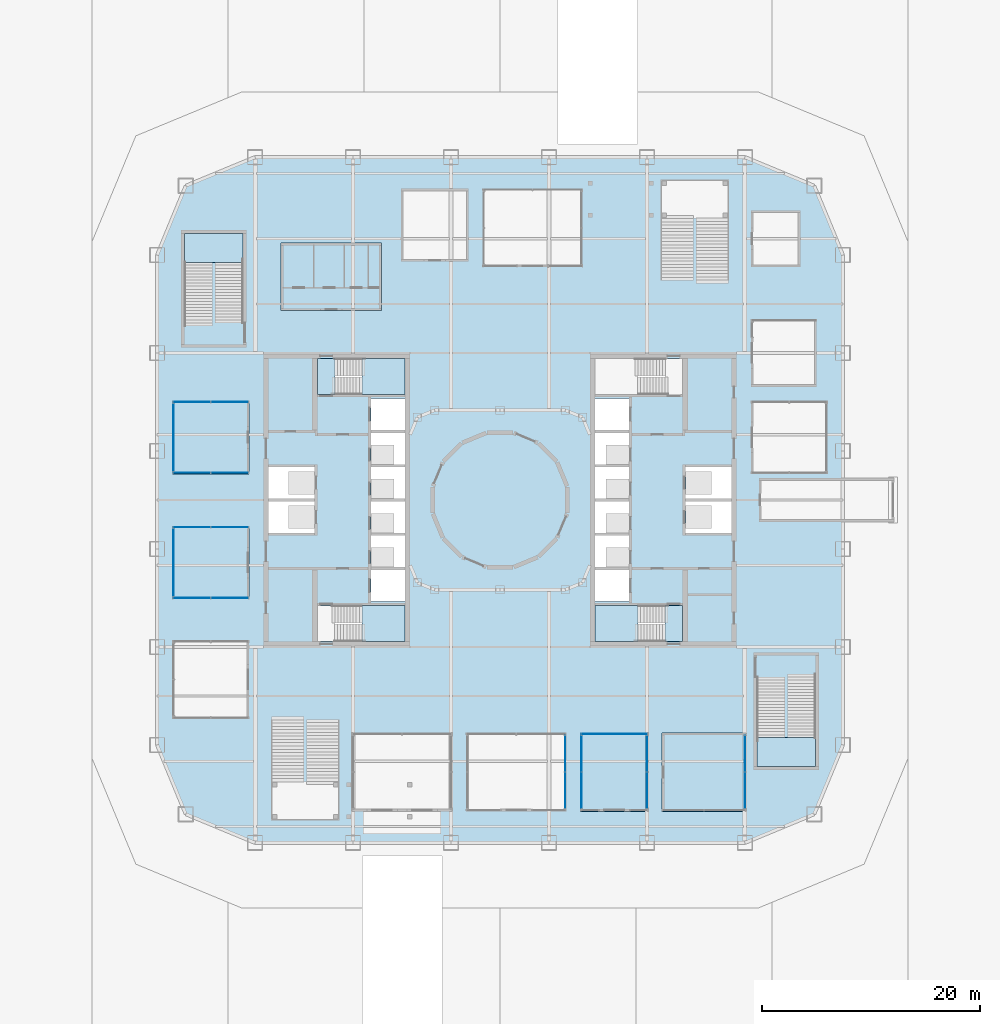
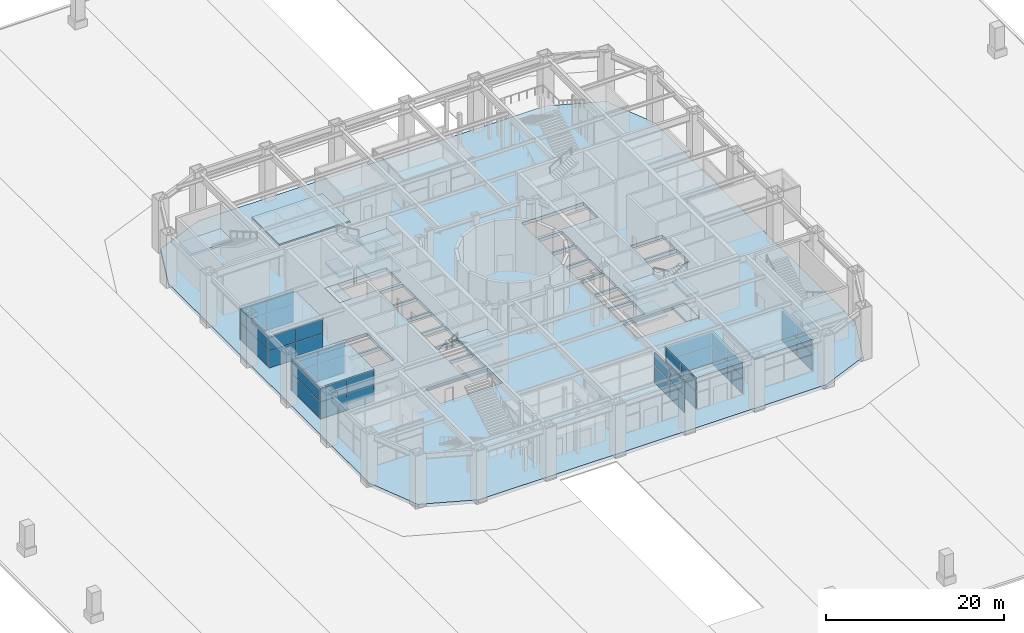
# One storey, part 11 of 20: 43 plates, 13 slabs, 16 elements without a shape of their own.
"""IFC4 building model written with IfcOpenShell, lengths in metres."""

from ifc_helpers import new_model, si_unit, direction, frame, origin, origin_2d, place, context, subcontext, project, spatial, polyline, rectangle, outline, extrude, material, layer, layer_set, type_object, element, aggregate, save


model = new_model("IFC4")

# Units and contexts
model_context = context("Model", 3, precision=1e-05, world=origin(), true_north=direction((0.0, 1.0)))
body_context = subcontext(model_context, "Body", "Model", "MODEL_VIEW")
ifc_project = project(units=[si_unit("LENGTHUNIT", "METRE"), si_unit("AREAUNIT", "SQUARE_METRE"), si_unit("VOLUMEUNIT", "CUBIC_METRE"), si_unit("PLANEANGLEUNIT", "RADIAN"), si_unit("MASSUNIT", "GRAM", prefix="KILO")], contexts=[model_context])

# Site, building, storey
site_placement = place(None, origin())
site = spatial("IfcSite", under=ifc_project, at=site_placement, CompositionType="ELEMENT")
building_placement = place(site_placement, origin())
building = spatial("IfcBuilding", under=site, at=building_placement, Name="Siwar Civic Tower", CompositionType="ELEMENT")
storey_placement = place(building_placement, origin())
storey = spatial("IfcBuildingStorey", under=building, at=storey_placement, Name="L00", CompositionType="ELEMENT", Elevation=0.0)

# Stair, slabs
ifc_material_1 = material(Name="Concrete C40/50", Category="concrete")
stair_type_1 = type_object("IfcStairType", Name="CORE-STAIR", PredefinedType="TWO_STRAIGHT_RUN_STAIR", material=ifc_material_1)
stair_1_placement = place(storey_placement, origin())
stair_1 = element("IfcStair", 1, at=stair_1_placement, inside=storey, type_object=stair_type_1, Name="Exit stair ST1", PredefinedType="TWO_STRAIGHT_RUN_STAIR")
ifc_material_2 = material(Name="Concrete C40/50", Category="concrete")
ifc_layer_1 = layer(ifc_material_2, 0.300048828125)
ifc_layer_set_1 = layer_set([ifc_layer_1], Name="Concrete C40/50")
slab_type_1 = type_object("IfcSlabType", Name="CORE-STAIR-LANDING", PredefinedType="LANDING", material=ifc_layer_set_1)
slab_1_placement = place(storey_placement, frame((0.0, 0.0, -0.300048828125)))
slab_1 = element("IfcSlab", 2, at=slab_1_placement, type_object=slab_type_1, Name="ST1 landing 1", PredefinedType="LANDING", context=body_context, shape_type="SweptSolid", body=[
    extrude(outline(polyline([(-15.14990234375, 13.0), (-16.75, 13.0), (-16.75, 9.699951171875), (-15.14990234375, 9.699951171875), (-15.14990234375, 13.0)])), origin(), (0.0, 0.0, 1.0), 0.300048828125),
])
slab_2_placement = place(storey_placement, frame((0.0, 0.0, 1.5)))
slab_2 = element("IfcSlab", 3, at=slab_2_placement, type_object=slab_type_1, Name="ST1 landing 2", PredefinedType="LANDING", context=body_context, shape_type="SweptSolid", body=[
    extrude(outline(polyline([(-8.75, 13.0), (-12.699951171875, 13.0), (-12.699951171875, 9.699951171875), (-8.75, 9.699951171875), (-8.75, 13.0)])), origin(), (0.0, 0.0, 1.0), 0.300048828125),
])
slab_3_placement = place(storey_placement, frame((0.0, 0.0, 3.300048828125)))
slab_3 = element("IfcSlab", 4, at=slab_3_placement, type_object=slab_type_1, Name="ST1 landing 3", PredefinedType="LANDING", context=body_context, shape_type="SweptSolid", body=[
    extrude(outline(polyline([(-15.14990234375, 13.0), (-16.75, 13.0), (-16.75, 9.699951171875), (-15.14990234375, 9.699951171875), (-15.14990234375, 13.0)])), origin(), (0.0, 0.0, 1.0), 0.300048828125),
])
slab_4_placement = place(storey_placement, frame((0.0, 0.0, 5.10009765625)))
slab_4 = element("IfcSlab", 5, at=slab_4_placement, type_object=slab_type_1, Name="ST1 landing 4", PredefinedType="LANDING", context=body_context, shape_type="SweptSolid", body=[
    extrude(outline(polyline([(-8.75, 13.0), (-12.699951171875, 13.0), (-12.699951171875, 9.699951171875), (-8.75, 9.699951171875), (-8.75, 13.0)])), origin(), (0.0, 0.0, 1.0), 0.2998046875),
])
aggregate(stair_1, [slab_1, slab_2, slab_3, slab_4])

stair_2_placement = place(storey_placement, origin())
stair_2 = element("IfcStair", 6, at=stair_2_placement, inside=storey, type_object=stair_type_1, Name="Exit stair ST2", PredefinedType="TWO_STRAIGHT_RUN_STAIR")
slab_5_placement = place(storey_placement, frame((0.0, 0.0, 1.5)))
slab_5 = element("IfcSlab", 7, at=slab_5_placement, type_object=slab_type_1, Name="ST2 landing 2", PredefinedType="LANDING", context=body_context, shape_type="SweptSolid", body=[
    extrude(outline(polyline([(-8.75, -9.699951171875), (-12.699951171875, -9.699951171875), (-12.699951171875, -13.0), (-8.75, -13.0), (-8.75, -9.699951171875)])), origin(), (0.0, 0.0, 1.0), 0.300048828125),
])
slab_6_placement = place(storey_placement, frame((0.0, 0.0, 5.10009765625)))
slab_6 = element("IfcSlab", 8, at=slab_6_placement, type_object=slab_type_1, Name="ST2 landing 4", PredefinedType="LANDING", context=body_context, shape_type="SweptSolid", body=[
    extrude(outline(polyline([(-8.75, -9.699951171875), (-12.699951171875, -9.699951171875), (-12.699951171875, -13.0), (-8.75, -13.0), (-8.75, -9.699951171875)])), origin(), (0.0, 0.0, 1.0), 0.2998046875),
])
aggregate(stair_2, [slab_5, slab_6])

stair_3_placement = place(storey_placement, origin())
stair_3 = element("IfcStair", 9, at=stair_3_placement, inside=storey, type_object=stair_type_1, Name="Exit stair ST4", PredefinedType="TWO_STRAIGHT_RUN_STAIR")
slab_7_placement = place(storey_placement, frame((0.0, 0.0, -0.300048828125)))
slab_7 = element("IfcSlab", 10, at=slab_7_placement, type_object=slab_type_1, Name="ST4 landing 1", PredefinedType="LANDING", context=body_context, shape_type="SweptSolid", body=[
    extrude(outline(polyline([(15.14990234375, -13.0), (16.75, -13.0), (16.75, -9.699951171875), (15.14990234375, -9.699951171875), (15.14990234375, -13.0)])), origin(), (0.0, 0.0, 1.0), 0.300048828125),
])
slab_8_placement = place(storey_placement, frame((0.0, 0.0, 1.5)))
slab_8 = element("IfcSlab", 11, at=slab_8_placement, type_object=slab_type_1, Name="ST4 landing 2", PredefinedType="LANDING", context=body_context, shape_type="SweptSolid", body=[
    extrude(outline(polyline([(8.75, -13.0), (12.699951171875, -13.0), (12.699951171875, -9.699951171875), (8.75, -9.699951171875), (8.75, -13.0)])), origin(), (0.0, 0.0, 1.0), 0.300048828125),
])
slab_9_placement = place(storey_placement, frame((0.0, 0.0, 3.300048828125)))
slab_9 = element("IfcSlab", 12, at=slab_9_placement, type_object=slab_type_1, Name="ST4 landing 3", PredefinedType="LANDING", context=body_context, shape_type="SweptSolid", body=[
    extrude(outline(polyline([(15.14990234375, -13.0), (16.75, -13.0), (16.75, -9.699951171875), (15.14990234375, -9.699951171875), (15.14990234375, -13.0)])), origin(), (0.0, 0.0, 1.0), 0.300048828125),
])
slab_10_placement = place(storey_placement, frame((0.0, 0.0, 5.10009765625)))
slab_10 = element("IfcSlab", 13, at=slab_10_placement, type_object=slab_type_1, Name="ST4 landing 4", PredefinedType="LANDING", context=body_context, shape_type="SweptSolid", body=[
    extrude(outline(polyline([(8.75, -13.0), (12.699951171875, -13.0), (12.699951171875, -9.699951171875), (8.75, -9.699951171875), (8.75, -13.0)])), origin(), (0.0, 0.0, 1.0), 0.2998046875),
])
aggregate(stair_3, [slab_7, slab_8, slab_9, slab_10])

# Curtain wall, plates
ifc_material_3 = material(Name="Aluminium and glass", Category="aluminium")
ifc_layer_2 = layer(ifc_material_3, 0.199951171875)
ifc_layer_set_2 = layer_set([ifc_layer_2], Name="Aluminium and glass")
curtain_wall_type = type_object("IfcCurtainWallType", Name="GND-CWG", PredefinedType="NOTDEFINED", material=ifc_layer_set_2)
curtain_wall_1_placement = place(storey_placement, origin())
curtain_wall_1 = element("IfcCurtainWall", 14, at=curtain_wall_1_placement, inside=storey, type_object=curtain_wall_type, Name="Glazed screen P02", PredefinedType="NOTDEFINED")
ifc_material_4 = material(Name="Clear laminated glass", Category="glass")
ifc_layer_3 = layer(ifc_material_4, 0.028076171875)
ifc_layer_set_3 = layer_set([ifc_layer_3], Name="Clear laminated glass")
plate_type_1 = type_object("IfcPlateType", Name="GND-CWG-PANEL", PredefinedType="CURTAIN_PANEL", material=ifc_layer_set_3)
plate_1_placement = place(storey_placement, frame((-28.322509765625, -9.0, 0.06005859375), z_axis=(0.0, 0.0, 1.0), x_axis=(1.0, 0.0, 0.0)))
plate_1 = element("IfcPlate", 15, at=plate_1_placement, type_object=plate_type_1, Name="CW-G panel 1.1", PredefinedType="CURTAIN_PANEL", context=body_context, shape_type="SweptSolid", body=[
    extrude(rectangle(XDim=3.43505859375, YDim=0.028076171875, at=origin_2d()), origin(), (0.0, 0.0, 1.0), 2.31005859375),
])
plate_2_placement = place(storey_placement, frame((-28.322509765625, -9.0, 2.429931640625), z_axis=(0.0, 0.0, 1.0), x_axis=(1.0, 0.0, 0.0)))
plate_2 = element("IfcPlate", 16, at=plate_2_placement, type_object=plate_type_1, Name="CW-G panel 1.2", PredefinedType="CURTAIN_PANEL", context=body_context, shape_type="SweptSolid", body=[
    extrude(rectangle(XDim=3.43505859375, YDim=0.028076171875, at=origin_2d()), origin(), (0.0, 0.0, 1.0), 1.81005859375),
])
plate_3_placement = place(storey_placement, frame((-24.827392578125, -9.0, 0.06005859375), z_axis=(0.0, 0.0, 1.0), x_axis=(1.0, 0.0, 0.0)))
plate_3 = element("IfcPlate", 17, at=plate_3_placement, type_object=plate_type_1, Name="CW-G panel 2.1", PredefinedType="CURTAIN_PANEL", context=body_context, shape_type="SweptSolid", body=[
    extrude(rectangle(XDim=3.43505859375, YDim=0.028076171875, at=origin_2d()), origin(), (0.0, 0.0, 1.0), 2.31005859375),
])
plate_4_placement = place(storey_placement, frame((-24.827392578125, -9.0, 2.429931640625), z_axis=(0.0, 0.0, 1.0), x_axis=(1.0, 0.0, 0.0)))
plate_4 = element("IfcPlate", 18, at=plate_4_placement, type_object=plate_type_1, Name="CW-G panel 2.2", PredefinedType="CURTAIN_PANEL", context=body_context, shape_type="SweptSolid", body=[
    extrude(rectangle(XDim=3.43505859375, YDim=0.028076171875, at=origin_2d()), origin(), (0.0, 0.0, 1.0), 1.81005859375),
])
aggregate(curtain_wall_1, [plate_1, plate_2, plate_3, plate_4])

curtain_wall_2_placement = place(storey_placement, origin())
curtain_wall_2 = element("IfcCurtainWall", 19, at=curtain_wall_2_placement, inside=storey, type_object=curtain_wall_type, Name="Glazed screen P02", PredefinedType="NOTDEFINED")
plate_5_placement = place(storey_placement, frame((-28.322509765625, -2.5, 0.06005859375), z_axis=(0.0, 0.0, 1.0), x_axis=(1.0, 0.0, 0.0)))
plate_5 = element("IfcPlate", 20, at=plate_5_placement, type_object=plate_type_1, Name="CW-G panel 1.1", PredefinedType="CURTAIN_PANEL", context=body_context, shape_type="SweptSolid", body=[
    extrude(rectangle(XDim=3.43505859375, YDim=0.028076171875, at=origin_2d()), origin(), (0.0, 0.0, 1.0), 2.31005859375),
])
plate_6_placement = place(storey_placement, frame((-28.322509765625, -2.5, 2.429931640625), z_axis=(0.0, 0.0, 1.0), x_axis=(1.0, 0.0, 0.0)))
plate_6 = element("IfcPlate", 21, at=plate_6_placement, type_object=plate_type_1, Name="CW-G panel 1.2", PredefinedType="CURTAIN_PANEL", context=body_context, shape_type="SweptSolid", body=[
    extrude(rectangle(XDim=3.43505859375, YDim=0.028076171875, at=origin_2d()), origin(), (0.0, 0.0, 1.0), 1.81005859375),
])
plate_7_placement = place(storey_placement, frame((-24.827392578125, -2.5, 0.06005859375), z_axis=(0.0, 0.0, 1.0), x_axis=(1.0, 0.0, 0.0)))
plate_7 = element("IfcPlate", 22, at=plate_7_placement, type_object=plate_type_1, Name="CW-G panel 2.1", PredefinedType="CURTAIN_PANEL", context=body_context, shape_type="SweptSolid", body=[
    extrude(rectangle(XDim=3.43505859375, YDim=0.028076171875, at=origin_2d()), origin(), (0.0, 0.0, 1.0), 2.31005859375),
])
plate_8_placement = place(storey_placement, frame((-24.827392578125, -2.5, 2.429931640625), z_axis=(0.0, 0.0, 1.0), x_axis=(1.0, 0.0, 0.0)))
plate_8 = element("IfcPlate", 23, at=plate_8_placement, type_object=plate_type_1, Name="CW-G panel 2.2", PredefinedType="CURTAIN_PANEL", context=body_context, shape_type="SweptSolid", body=[
    extrude(rectangle(XDim=3.43505859375, YDim=0.028076171875, at=origin_2d()), origin(), (0.0, 0.0, 1.0), 1.81005859375),
])
aggregate(curtain_wall_2, [plate_5, plate_6, plate_7, plate_8])

curtain_wall_3_placement = place(storey_placement, origin())
curtain_wall_3 = element("IfcCurtainWall", 24, at=curtain_wall_3_placement, inside=storey, type_object=curtain_wall_type, Name="Glazed screen P02", PredefinedType="NOTDEFINED")
plate_9_placement = place(storey_placement, frame((-30.0, -5.75, 0.06005859375), z_axis=(0.0, 0.0, 1.0), x_axis=(0.0, 1.0, 0.0)))
plate_9 = element("IfcPlate", 25, at=plate_9_placement, type_object=plate_type_1, Name="CW-G panel 1.1", PredefinedType="CURTAIN_PANEL", context=body_context, shape_type="SweptSolid", body=[
    extrude(rectangle(XDim=6.179931640625, YDim=0.028076171875, at=origin_2d()), origin(), (0.0, 0.0, 1.0), 2.31005859375),
])
plate_10_placement = place(storey_placement, frame((-30.0, -5.75, 2.429931640625), z_axis=(0.0, 0.0, 1.0), x_axis=(0.0, 1.0, 0.0)))
plate_10 = element("IfcPlate", 26, at=plate_10_placement, type_object=plate_type_1, Name="CW-G panel 1.2", PredefinedType="CURTAIN_PANEL", context=body_context, shape_type="SweptSolid", body=[
    extrude(rectangle(XDim=6.179931640625, YDim=0.028076171875, at=origin_2d()), origin(), (0.0, 0.0, 1.0), 1.81005859375),
])
aggregate(curtain_wall_3, [plate_9, plate_10])

curtain_wall_4_placement = place(storey_placement, origin())
curtain_wall_4 = element("IfcCurtainWall", 27, at=curtain_wall_4_placement, inside=storey, type_object=curtain_wall_type, Name="Glazed screen P04", PredefinedType="NOTDEFINED")
plate_11_placement = place(storey_placement, frame((13.5, -26.68505859375, 0.06005859375), z_axis=(0.0, 0.0, 1.0), x_axis=(0.0, 1.0, 0.0)))
plate_11 = element("IfcPlate", 28, at=plate_11_placement, type_object=plate_type_1, Name="CW-G panel 1.1", PredefinedType="CURTAIN_PANEL", context=body_context, shape_type="SweptSolid", body=[
    extrude(rectangle(XDim=3.31005859375, YDim=0.028076171875, at=origin_2d()), origin(), (0.0, 0.0, 1.0), 2.31005859375),
])
plate_12_placement = place(storey_placement, frame((13.5, -26.68505859375, 2.429931640625), z_axis=(0.0, 0.0, 1.0), x_axis=(0.0, 1.0, 0.0)))
plate_12 = element("IfcPlate", 29, at=plate_12_placement, type_object=plate_type_1, Name="CW-G panel 1.2", PredefinedType="CURTAIN_PANEL", context=body_context, shape_type="SweptSolid", body=[
    extrude(rectangle(XDim=3.31005859375, YDim=0.028076171875, at=origin_2d()), origin(), (0.0, 0.0, 1.0), 1.81005859375),
])
plate_13_placement = place(storey_placement, frame((13.5, -23.31494140625, 0.06005859375), z_axis=(0.0, 0.0, 1.0), x_axis=(0.0, 1.0, 0.0)))
plate_13 = element("IfcPlate", 30, at=plate_13_placement, type_object=plate_type_1, Name="CW-G panel 2.1", PredefinedType="CURTAIN_PANEL", context=body_context, shape_type="SweptSolid", body=[
    extrude(rectangle(XDim=3.31005859375, YDim=0.028076171875, at=origin_2d()), origin(), (0.0, 0.0, 1.0), 2.31005859375),
])
plate_14_placement = place(storey_placement, frame((13.5, -23.31494140625, 2.429931640625), z_axis=(0.0, 0.0, 1.0), x_axis=(0.0, 1.0, 0.0)))
plate_14 = element("IfcPlate", 31, at=plate_14_placement, type_object=plate_type_1, Name="CW-G panel 2.2", PredefinedType="CURTAIN_PANEL", context=body_context, shape_type="SweptSolid", body=[
    extrude(rectangle(XDim=3.31005859375, YDim=0.028076171875, at=origin_2d()), origin(), (0.0, 0.0, 1.0), 1.81005859375),
])
aggregate(curtain_wall_4, [plate_11, plate_12, plate_13, plate_14])

curtain_wall_5_placement = place(storey_placement, origin())
curtain_wall_5 = element("IfcCurtainWall", 32, at=curtain_wall_5_placement, inside=storey, type_object=curtain_wall_type, Name="Glazed screen P04", PredefinedType="NOTDEFINED")
plate_15_placement = place(storey_placement, frame((10.5, -21.5, 0.06005859375), z_axis=(0.0, 0.0, 1.0), x_axis=(1.0, 0.0, 0.0)))
plate_15 = element("IfcPlate", 33, at=plate_15_placement, type_object=plate_type_1, Name="CW-G panel 1.1", PredefinedType="CURTAIN_PANEL", context=body_context, shape_type="SweptSolid", body=[
    extrude(rectangle(XDim=6.080078125, YDim=0.028076171875, at=origin_2d()), origin(), (0.0, 0.0, 1.0), 2.31005859375),
])
plate_16_placement = place(storey_placement, frame((10.5, -21.5, 2.429931640625), z_axis=(0.0, 0.0, 1.0), x_axis=(1.0, 0.0, 0.0)))
plate_16 = element("IfcPlate", 34, at=plate_16_placement, type_object=plate_type_1, Name="CW-G panel 1.2", PredefinedType="CURTAIN_PANEL", context=body_context, shape_type="SweptSolid", body=[
    extrude(rectangle(XDim=6.080078125, YDim=0.028076171875, at=origin_2d()), origin(), (0.0, 0.0, 1.0), 1.81005859375),
])
aggregate(curtain_wall_5, [plate_15, plate_16])

curtain_wall_6_placement = place(storey_placement, origin())
curtain_wall_6 = element("IfcCurtainWall", 35, at=curtain_wall_6_placement, inside=storey, type_object=curtain_wall_type, Name="Glazed screen P04", PredefinedType="NOTDEFINED")
plate_17_placement = place(storey_placement, frame((7.5, -26.68505859375, 0.06005859375), z_axis=(0.0, 0.0, 1.0), x_axis=(0.0, 1.0, 0.0)))
plate_17 = element("IfcPlate", 36, at=plate_17_placement, type_object=plate_type_1, Name="CW-G panel 1.1", PredefinedType="CURTAIN_PANEL", context=body_context, shape_type="SweptSolid", body=[
    extrude(rectangle(XDim=3.31005859375, YDim=0.028076171875, at=origin_2d()), origin(), (0.0, 0.0, 1.0), 2.31005859375),
])
plate_18_placement = place(storey_placement, frame((7.5, -26.68505859375, 2.429931640625), z_axis=(0.0, 0.0, 1.0), x_axis=(0.0, 1.0, 0.0)))
plate_18 = element("IfcPlate", 37, at=plate_18_placement, type_object=plate_type_1, Name="CW-G panel 1.2", PredefinedType="CURTAIN_PANEL", context=body_context, shape_type="SweptSolid", body=[
    extrude(rectangle(XDim=3.31005859375, YDim=0.028076171875, at=origin_2d()), origin(), (0.0, 0.0, 1.0), 1.81005859375),
])
plate_19_placement = place(storey_placement, frame((7.5, -23.31494140625, 0.06005859375), z_axis=(0.0, 0.0, 1.0), x_axis=(0.0, 1.0, 0.0)))
plate_19 = element("IfcPlate", 38, at=plate_19_placement, type_object=plate_type_1, Name="CW-G panel 2.1", PredefinedType="CURTAIN_PANEL", context=body_context, shape_type="SweptSolid", body=[
    extrude(rectangle(XDim=3.31005859375, YDim=0.028076171875, at=origin_2d()), origin(), (0.0, 0.0, 1.0), 2.31005859375),
])
plate_20_placement = place(storey_placement, frame((7.5, -23.31494140625, 2.429931640625), z_axis=(0.0, 0.0, 1.0), x_axis=(0.0, 1.0, 0.0)))
plate_20 = element("IfcPlate", 39, at=plate_20_placement, type_object=plate_type_1, Name="CW-G panel 2.2", PredefinedType="CURTAIN_PANEL", context=body_context, shape_type="SweptSolid", body=[
    extrude(rectangle(XDim=3.31005859375, YDim=0.028076171875, at=origin_2d()), origin(), (0.0, 0.0, 1.0), 1.81005859375),
])
aggregate(curtain_wall_6, [plate_17, plate_18, plate_19, plate_20])

curtain_wall_7_placement = place(storey_placement, origin())
curtain_wall_7 = element("IfcCurtainWall", 40, at=curtain_wall_7_placement, inside=storey, type_object=curtain_wall_type, Name="Glazed screen P05", PredefinedType="NOTDEFINED")
plate_21_placement = place(storey_placement, frame((6.0, -26.68505859375, 0.06005859375), z_axis=(0.0, 0.0, 1.0), x_axis=(0.0, 1.0, 0.0)))
plate_21 = element("IfcPlate", 41, at=plate_21_placement, type_object=plate_type_1, Name="CW-G panel 1.1", PredefinedType="CURTAIN_PANEL", context=body_context, shape_type="SweptSolid", body=[
    extrude(rectangle(XDim=3.31005859375, YDim=0.028076171875, at=origin_2d()), origin(), (0.0, 0.0, 1.0), 2.31005859375),
])
plate_22_placement = place(storey_placement, frame((6.0, -26.68505859375, 2.429931640625), z_axis=(0.0, 0.0, 1.0), x_axis=(0.0, 1.0, 0.0)))
plate_22 = element("IfcPlate", 42, at=plate_22_placement, type_object=plate_type_1, Name="CW-G panel 1.2", PredefinedType="CURTAIN_PANEL", context=body_context, shape_type="SweptSolid", body=[
    extrude(rectangle(XDim=3.31005859375, YDim=0.028076171875, at=origin_2d()), origin(), (0.0, 0.0, 1.0), 1.81005859375),
])
plate_23_placement = place(storey_placement, frame((6.0, -23.31494140625, 0.06005859375), z_axis=(0.0, 0.0, 1.0), x_axis=(0.0, 1.0, 0.0)))
plate_23 = element("IfcPlate", 43, at=plate_23_placement, type_object=plate_type_1, Name="CW-G panel 2.1", PredefinedType="CURTAIN_PANEL", context=body_context, shape_type="SweptSolid", body=[
    extrude(rectangle(XDim=3.31005859375, YDim=0.028076171875, at=origin_2d()), origin(), (0.0, 0.0, 1.0), 2.31005859375),
])
plate_24_placement = place(storey_placement, frame((6.0, -23.31494140625, 2.429931640625), z_axis=(0.0, 0.0, 1.0), x_axis=(0.0, 1.0, 0.0)))
plate_24 = element("IfcPlate", 44, at=plate_24_placement, type_object=plate_type_1, Name="CW-G panel 2.2", PredefinedType="CURTAIN_PANEL", context=body_context, shape_type="SweptSolid", body=[
    extrude(rectangle(XDim=3.31005859375, YDim=0.028076171875, at=origin_2d()), origin(), (0.0, 0.0, 1.0), 1.81005859375),
])
aggregate(curtain_wall_7, [plate_21, plate_22, plate_23, plate_24])

curtain_wall_8_placement = place(storey_placement, origin())
curtain_wall_8 = element("IfcCurtainWall", 45, at=curtain_wall_8_placement, inside=storey, type_object=curtain_wall_type, Name="Glazed screen P09", PredefinedType="NOTDEFINED")
plate_25_placement = place(storey_placement, frame((-28.322509765625, 2.5, 0.06005859375), z_axis=(0.0, 0.0, 1.0), x_axis=(1.0, 0.0, 0.0)))
plate_25 = element("IfcPlate", 46, at=plate_25_placement, type_object=plate_type_1, Name="CW-G panel 1.1", PredefinedType="CURTAIN_PANEL", context=body_context, shape_type="SweptSolid", body=[
    extrude(rectangle(XDim=3.43505859375, YDim=0.028076171875, at=origin_2d()), origin(), (0.0, 0.0, 1.0), 2.31005859375),
])
plate_26_placement = place(storey_placement, frame((-28.322509765625, 2.5, 2.429931640625), z_axis=(0.0, 0.0, 1.0), x_axis=(1.0, 0.0, 0.0)))
plate_26 = element("IfcPlate", 47, at=plate_26_placement, type_object=plate_type_1, Name="CW-G panel 1.2", PredefinedType="CURTAIN_PANEL", context=body_context, shape_type="SweptSolid", body=[
    extrude(rectangle(XDim=3.43505859375, YDim=0.028076171875, at=origin_2d()), origin(), (0.0, 0.0, 1.0), 1.81005859375),
])
plate_27_placement = place(storey_placement, frame((-24.827392578125, 2.5, 0.06005859375), z_axis=(0.0, 0.0, 1.0), x_axis=(1.0, 0.0, 0.0)))
plate_27 = element("IfcPlate", 48, at=plate_27_placement, type_object=plate_type_1, Name="CW-G panel 2.1", PredefinedType="CURTAIN_PANEL", context=body_context, shape_type="SweptSolid", body=[
    extrude(rectangle(XDim=3.43505859375, YDim=0.028076171875, at=origin_2d()), origin(), (0.0, 0.0, 1.0), 2.31005859375),
])
plate_28_placement = place(storey_placement, frame((-24.827392578125, 2.5, 2.429931640625), z_axis=(0.0, 0.0, 1.0), x_axis=(1.0, 0.0, 0.0)))
plate_28 = element("IfcPlate", 49, at=plate_28_placement, type_object=plate_type_1, Name="CW-G panel 2.2", PredefinedType="CURTAIN_PANEL", context=body_context, shape_type="SweptSolid", body=[
    extrude(rectangle(XDim=3.43505859375, YDim=0.028076171875, at=origin_2d()), origin(), (0.0, 0.0, 1.0), 1.81005859375),
])
aggregate(curtain_wall_8, [plate_25, plate_26, plate_27, plate_28])

curtain_wall_9_placement = place(storey_placement, origin())
curtain_wall_9 = element("IfcCurtainWall", 50, at=curtain_wall_9_placement, inside=storey, type_object=curtain_wall_type, Name="Glazed screen P09", PredefinedType="NOTDEFINED")
plate_29_placement = place(storey_placement, frame((-28.322509765625, 9.0, 0.06005859375), z_axis=(0.0, 0.0, 1.0), x_axis=(1.0, 0.0, 0.0)))
plate_29 = element("IfcPlate", 51, at=plate_29_placement, type_object=plate_type_1, Name="CW-G panel 1.1", PredefinedType="CURTAIN_PANEL", context=body_context, shape_type="SweptSolid", body=[
    extrude(rectangle(XDim=3.43505859375, YDim=0.028076171875, at=origin_2d()), origin(), (0.0, 0.0, 1.0), 2.31005859375),
])
plate_30_placement = place(storey_placement, frame((-28.322509765625, 9.0, 2.429931640625), z_axis=(0.0, 0.0, 1.0), x_axis=(1.0, 0.0, 0.0)))
plate_30 = element("IfcPlate", 52, at=plate_30_placement, type_object=plate_type_1, Name="CW-G panel 1.2", PredefinedType="CURTAIN_PANEL", context=body_context, shape_type="SweptSolid", body=[
    extrude(rectangle(XDim=3.43505859375, YDim=0.028076171875, at=origin_2d()), origin(), (0.0, 0.0, 1.0), 1.81005859375),
])
plate_31_placement = place(storey_placement, frame((-24.827392578125, 9.0, 0.06005859375), z_axis=(0.0, 0.0, 1.0), x_axis=(1.0, 0.0, 0.0)))
plate_31 = element("IfcPlate", 53, at=plate_31_placement, type_object=plate_type_1, Name="CW-G panel 2.1", PredefinedType="CURTAIN_PANEL", context=body_context, shape_type="SweptSolid", body=[
    extrude(rectangle(XDim=3.43505859375, YDim=0.028076171875, at=origin_2d()), origin(), (0.0, 0.0, 1.0), 2.31005859375),
])
plate_32_placement = place(storey_placement, frame((-24.827392578125, 9.0, 2.429931640625), z_axis=(0.0, 0.0, 1.0), x_axis=(1.0, 0.0, 0.0)))
plate_32 = element("IfcPlate", 54, at=plate_32_placement, type_object=plate_type_1, Name="CW-G panel 2.2", PredefinedType="CURTAIN_PANEL", context=body_context, shape_type="SweptSolid", body=[
    extrude(rectangle(XDim=3.43505859375, YDim=0.028076171875, at=origin_2d()), origin(), (0.0, 0.0, 1.0), 1.81005859375),
])
aggregate(curtain_wall_9, [plate_29, plate_30, plate_31, plate_32])

curtain_wall_10_placement = place(storey_placement, origin())
curtain_wall_10 = element("IfcCurtainWall", 55, at=curtain_wall_10_placement, inside=storey, type_object=curtain_wall_type, Name="Glazed screen P09", PredefinedType="NOTDEFINED")
plate_33_placement = place(storey_placement, frame((-30.0, 5.75, 0.06005859375), z_axis=(0.0, 0.0, 1.0), x_axis=(0.0, 1.0, 0.0)))
plate_33 = element("IfcPlate", 56, at=plate_33_placement, type_object=plate_type_1, Name="CW-G panel 1.1", PredefinedType="CURTAIN_PANEL", context=body_context, shape_type="SweptSolid", body=[
    extrude(rectangle(XDim=6.179931640625, YDim=0.028076171875, at=origin_2d()), origin(), (0.0, 0.0, 1.0), 2.31005859375),
])
plate_34_placement = place(storey_placement, frame((-30.0, 5.75, 2.429931640625), z_axis=(0.0, 0.0, 1.0), x_axis=(0.0, 1.0, 0.0)))
plate_34 = element("IfcPlate", 57, at=plate_34_placement, type_object=plate_type_1, Name="CW-G panel 1.2", PredefinedType="CURTAIN_PANEL", context=body_context, shape_type="SweptSolid", body=[
    extrude(rectangle(XDim=6.179931640625, YDim=0.028076171875, at=origin_2d()), origin(), (0.0, 0.0, 1.0), 1.81005859375),
])
aggregate(curtain_wall_10, [plate_33, plate_34])

curtain_wall_11_placement = place(storey_placement, origin())
curtain_wall_11 = element("IfcCurtainWall", 58, at=curtain_wall_11_placement, inside=storey, type_object=curtain_wall_type, Name="Glazed screen P11", PredefinedType="NOTDEFINED")
plate_35_placement = place(storey_placement, frame((22.5, -26.68505859375, 0.06005859375), z_axis=(0.0, 0.0, 1.0), x_axis=(0.0, 1.0, 0.0)))
plate_35 = element("IfcPlate", 59, at=plate_35_placement, type_object=plate_type_1, Name="CW-G panel 1.1", PredefinedType="CURTAIN_PANEL", context=body_context, shape_type="SweptSolid", body=[
    extrude(rectangle(XDim=3.31005859375, YDim=0.028076171875, at=origin_2d()), origin(), (0.0, 0.0, 1.0), 2.31005859375),
])
plate_36_placement = place(storey_placement, frame((22.5, -26.68505859375, 2.429931640625), z_axis=(0.0, 0.0, 1.0), x_axis=(0.0, 1.0, 0.0)))
plate_36 = element("IfcPlate", 60, at=plate_36_placement, type_object=plate_type_1, Name="CW-G panel 1.2", PredefinedType="CURTAIN_PANEL", context=body_context, shape_type="SweptSolid", body=[
    extrude(rectangle(XDim=3.31005859375, YDim=0.028076171875, at=origin_2d()), origin(), (0.0, 0.0, 1.0), 1.81005859375),
])
plate_37_placement = place(storey_placement, frame((22.5, -23.31494140625, 0.06005859375), z_axis=(0.0, 0.0, 1.0), x_axis=(0.0, 1.0, 0.0)))
plate_37 = element("IfcPlate", 61, at=plate_37_placement, type_object=plate_type_1, Name="CW-G panel 2.1", PredefinedType="CURTAIN_PANEL", context=body_context, shape_type="SweptSolid", body=[
    extrude(rectangle(XDim=3.31005859375, YDim=0.028076171875, at=origin_2d()), origin(), (0.0, 0.0, 1.0), 2.31005859375),
])
plate_38_placement = place(storey_placement, frame((22.5, -23.31494140625, 2.429931640625), z_axis=(0.0, 0.0, 1.0), x_axis=(0.0, 1.0, 0.0)))
plate_38 = element("IfcPlate", 62, at=plate_38_placement, type_object=plate_type_1, Name="CW-G panel 2.2", PredefinedType="CURTAIN_PANEL", context=body_context, shape_type="SweptSolid", body=[
    extrude(rectangle(XDim=3.31005859375, YDim=0.028076171875, at=origin_2d()), origin(), (0.0, 0.0, 1.0), 1.81005859375),
])
aggregate(curtain_wall_11, [plate_35, plate_36, plate_37, plate_38])

# Stair, slab
ifc_material_5 = material(Name="Concrete C40/50", Category="concrete")
stair_type_2 = type_object("IfcStairType", Name="GND-ES-STAIR", PredefinedType="TWO_STRAIGHT_RUN_STAIR", material=ifc_material_5)
stair_4_placement = place(storey_placement, origin())
stair_4 = element("IfcStair", 63, at=stair_4_placement, inside=storey, type_object=stair_type_2, Name="Exit stair ST5", PredefinedType="TWO_STRAIGHT_RUN_STAIR")
ifc_material_6 = material(Name="Concrete C40/50", Category="concrete")
ifc_layer_4 = layer(ifc_material_6, 0.300048828125)
ifc_layer_set_4 = layer_set([ifc_layer_4], Name="Concrete C40/50")
slab_type_2 = type_object("IfcSlabType", Name="GND-ES-LANDING", PredefinedType="LANDING", material=ifc_layer_set_4)
slab_11_placement = place(storey_placement, frame((0.0, 0.0, 3.300048828125)))
slab_11 = element("IfcSlab", 64, at=slab_11_placement, type_object=slab_type_2, Name="ST5 landing 1", PredefinedType="LANDING", context=body_context, shape_type="SweptSolid", body=[
    extrude(outline(polyline([(-29.0, 21.830078125), (-23.60009765625, 21.830078125), (-23.60009765625, 24.5), (-29.0, 24.5), (-29.0, 21.830078125)])), origin(), (0.0, 0.0, 1.0), 0.300048828125),
])
aggregate(stair_4, [slab_11])

stair_5_placement = place(storey_placement, origin())
stair_5 = element("IfcStair", 65, at=stair_5_placement, inside=storey, type_object=stair_type_2, Name="Exit stair ST6", PredefinedType="TWO_STRAIGHT_RUN_STAIR")
slab_12_placement = place(storey_placement, frame((0.0, 0.0, 3.300048828125)))
slab_12 = element("IfcSlab", 66, at=slab_12_placement, type_object=slab_type_2, Name="ST6 landing 1", PredefinedType="LANDING", context=body_context, shape_type="SweptSolid", body=[
    extrude(outline(polyline([(29.0, -21.830078125), (23.60009765625, -21.830078125), (23.60009765625, -24.5), (29.0, -24.5), (29.0, -21.830078125)])), origin(), (0.0, 0.0, 1.0), 0.300048828125),
])
aggregate(stair_5, [slab_12])

# Plates
ifc_material_7 = material(Name="Insulated metal deck")
ifc_layer_5 = layer(ifc_material_7, 0.199951171875)
ifc_layer_set_5 = layer_set([ifc_layer_5], Name="Insulated metal deck")
plate_type_2 = type_object("IfcPlateType", Name="GND-POD-ROOF", PredefinedType="SHEET", material=ifc_layer_set_5)
plate_39_placement = place(storey_placement, frame((0.0, 0.0, 4.300048828125)))
element("IfcPlate", 67, at=plate_39_placement, inside=storey, type_object=plate_type_2, Name="Roof Security screening hall", PredefinedType="SHEET", context=body_context, shape_type="SweptSolid", body=[
    extrude(outline(polyline([(-30.10009765625, -9.10009765625), (-23.050048828125, -9.10009765625), (-23.050048828125, -2.39990234375), (-30.10009765625, -2.39990234375), (-30.10009765625, -9.10009765625)])), origin(), (0.0, 0.0, 1.0), 0.199951171875),
])
plate_40_placement = place(storey_placement, frame((0.0, 0.0, 4.300048828125)))
element("IfcPlate", 68, at=plate_40_placement, inside=storey, type_object=plate_type_2, Name="Roof Information and orientation", PredefinedType="SHEET", context=body_context, shape_type="SweptSolid", body=[
    extrude(outline(polyline([(7.39990234375, -28.60009765625), (13.60009765625, -28.60009765625), (13.60009765625, -21.39990234375), (7.39990234375, -21.39990234375), (7.39990234375, -28.60009765625)])), origin(), (0.0, 0.0, 1.0), 0.199951171875),
])
plate_41_placement = place(storey_placement, frame((0.0, 0.0, 4.300048828125)))
element("IfcPlate", 69, at=plate_41_placement, inside=storey, type_object=plate_type_2, Name="Roof Public WC block", PredefinedType="SHEET", context=body_context, shape_type="SweptSolid", body=[
    extrude(outline(polyline([(-20.10009765625, 17.39990234375), (-10.89990234375, 17.39990234375), (-10.89990234375, 23.60009765625), (-20.10009765625, 23.60009765625), (-20.10009765625, 17.39990234375)])), origin(), (0.0, 0.0, 1.0), 0.199951171875),
])
plate_42_placement = place(storey_placement, frame((0.0, 0.0, 4.300048828125)))
element("IfcPlate", 70, at=plate_42_placement, inside=storey, type_object=plate_type_2, Name="Roof Bag check", PredefinedType="SHEET", context=body_context, shape_type="SweptSolid", body=[
    extrude(outline(polyline([(-30.10009765625, 2.39990234375), (-23.050048828125, 2.39990234375), (-23.050048828125, 9.10009765625), (-30.10009765625, 9.10009765625), (-30.10009765625, 2.39990234375)])), origin(), (0.0, 0.0, 1.0), 0.199951171875),
])
plate_43_placement = place(storey_placement, frame((0.0, 0.0, 4.300048828125)))
element("IfcPlate", 71, at=plate_43_placement, inside=storey, type_object=plate_type_2, Name="Roof Security control room", PredefinedType="SHEET", context=body_context, shape_type="SweptSolid", body=[
    extrude(outline(polyline([(14.89990234375, -28.60009765625), (22.60009765625, -28.60009765625), (22.60009765625, -21.39990234375), (14.89990234375, -21.39990234375), (14.89990234375, -28.60009765625)])), origin(), (0.0, 0.0, 1.0), 0.199951171875),
])

# Slab
ifc_material_8 = material(Name="Concrete C40/50", Category="concrete")
ifc_layer_6 = layer(ifc_material_8, 0.449951171875)
ifc_layer_set_6 = layer_set([ifc_layer_6], Name="Concrete C40/50")
slab_type_3 = type_object("IfcSlabType", Name="STR-PLAZA-DECK-450", PredefinedType="FLOOR", material=ifc_layer_set_6)
slab_13_placement = place(storey_placement, frame((0.0, 0.0, -0.449951171875)))
element("IfcSlab", 72, at=slab_13_placement, inside=storey, type_object=slab_type_3, Name="L00/slab/1", PredefinedType="FLOOR", context=body_context, shape_type="SweptSolid", body=[
    extrude(outline(polyline([(-22.5, -31.5), (22.5, -31.5), (28.864013671875, -28.864013671875), (31.5, -22.5), (31.5, 22.5), (28.864013671875, 28.864013671875), (22.5, 31.5), (-22.5, 31.5), (-28.864013671875, 28.864013671875), (-31.5, 22.5), (-31.5, -22.5), (-28.864013671875, -28.864013671875), (-22.5, -31.5)]), holes=[polyline([(21.25, -0.125), (21.25, -3.02490234375), (17.050048828125, -3.02490234375), (17.050048828125, -0.125), (21.25, -0.125)]), polyline([(17.050048828125, 3.02490234375), (21.25, 3.02490234375), (21.25, 0.125), (17.050048828125, 0.125), (17.050048828125, 3.02490234375)]), polyline([(8.75, -9.699951171875), (16.75, -9.699951171875), (16.75, -13.0), (8.75, -13.0), (8.75, -9.699951171875)]), polyline([(16.75, 13.0), (16.75, 9.699951171875), (8.75, 9.699951171875), (8.75, 13.0), (16.75, 13.0)]), polyline([(8.75, -6.425048828125), (11.85009765625, -6.425048828125), (11.85009765625, -9.324951171875), (8.75, -9.324951171875), (8.75, -6.425048828125)]), polyline([(8.75, -3.27490234375), (11.85009765625, -3.27490234375), (11.85009765625, -6.175048828125), (8.75, -6.175048828125), (8.75, -3.27490234375)]), polyline([(8.75, 3.02490234375), (11.85009765625, 3.02490234375), (11.85009765625, 0.125), (8.75, 0.125), (8.75, 3.02490234375)]), polyline([(8.75, 6.175048828125), (11.85009765625, 6.175048828125), (11.85009765625, 3.27490234375), (8.75, 3.27490234375), (8.75, 6.175048828125)]), polyline([(11.85009765625, -0.125), (11.85009765625, -3.02490234375), (8.75, -3.02490234375), (8.75, -0.125), (11.85009765625, -0.125)]), polyline([(11.85009765625, 9.324951171875), (11.85009765625, 6.425048828125), (8.75, 6.425048828125), (8.75, 9.324951171875), (11.85009765625, 9.324951171875)]), polyline([(-11.85009765625, 6.425048828125), (-11.85009765625, 9.324951171875), (-8.75, 9.324951171875), (-8.75, 6.425048828125), (-11.85009765625, 6.425048828125)]), polyline([(-8.75, -13.0), (-16.75, -13.0), (-16.75, -9.699951171875), (-8.75, -9.699951171875), (-8.75, -13.0)]), polyline([(-8.75, -9.324951171875), (-11.85009765625, -9.324951171875), (-11.85009765625, -6.425048828125), (-8.75, -6.425048828125), (-8.75, -9.324951171875)]), polyline([(-8.75, -6.175048828125), (-11.85009765625, -6.175048828125), (-11.85009765625, -3.27490234375), (-8.75, -3.27490234375), (-8.75, -6.175048828125)]), polyline([(-8.75, 0.125), (-11.85009765625, 0.125), (-11.85009765625, 3.02490234375), (-8.75, 3.02490234375), (-8.75, 0.125)]), polyline([(-8.75, 3.27490234375), (-11.85009765625, 3.27490234375), (-11.85009765625, 6.175048828125), (-8.75, 6.175048828125), (-8.75, 3.27490234375)]), polyline([(-11.85009765625, -3.02490234375), (-11.85009765625, -0.125), (-8.75, -0.125), (-8.75, -3.02490234375), (-11.85009765625, -3.02490234375)]), polyline([(-16.75, 9.699951171875), (-16.75, 13.0), (-8.75, 13.0), (-8.75, 9.699951171875), (-16.75, 9.699951171875)]), polyline([(-21.25, -3.02490234375), (-21.25, -0.125), (-17.050048828125, -0.125), (-17.050048828125, -3.02490234375), (-21.25, -3.02490234375)]), polyline([(-17.050048828125, 0.125), (-21.25, 0.125), (-21.25, 3.02490234375), (-17.050048828125, 3.02490234375), (-17.050048828125, 0.125)])]), origin(), (0.0, 0.0, 1.0), 0.449951171875),
])

save(model, "model.ifc")
